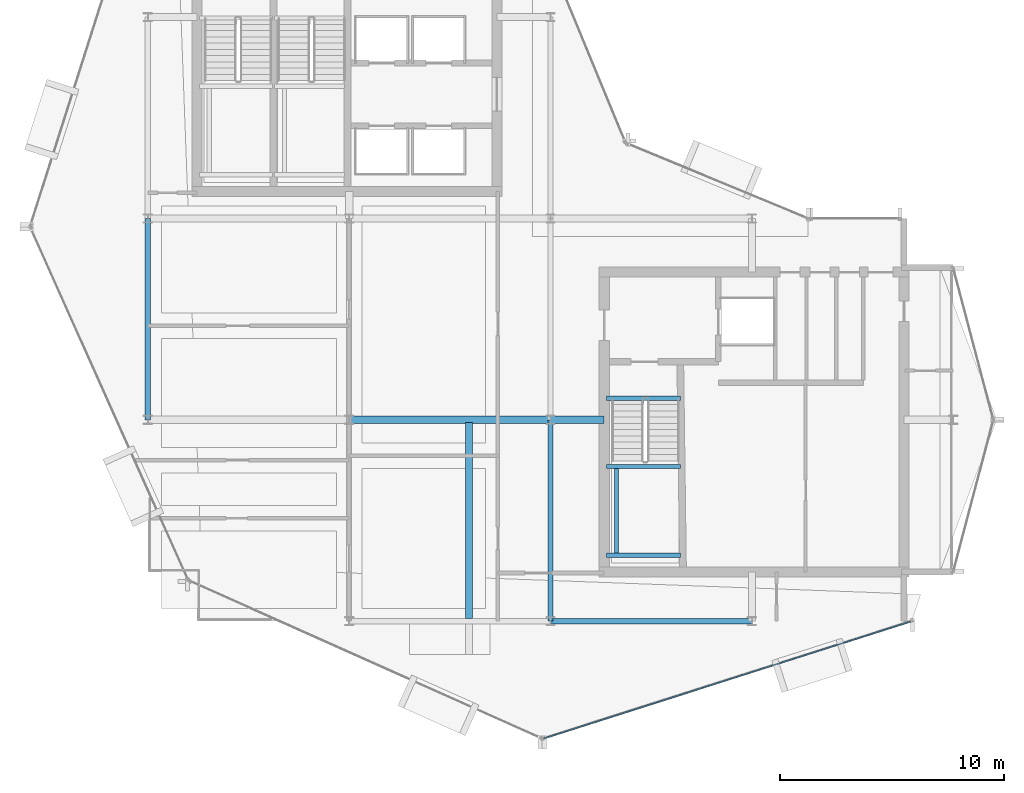
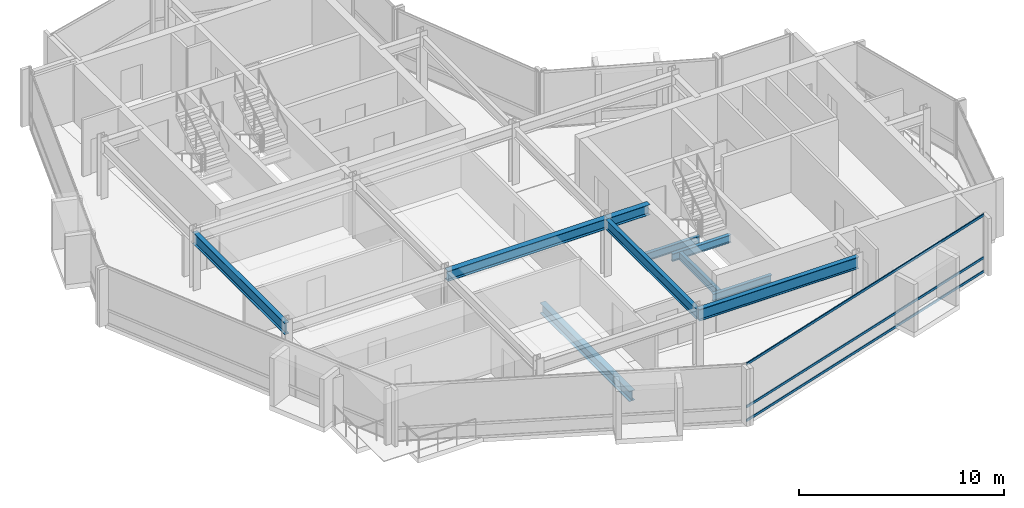
# One storey, part 5 of 19: 10 beams, 3 members, 1 element without a shape of its own.
"""IFC4 building model written with IfcOpenShell, lengths in metres."""

from ifc_helpers import new_model, si_unit, direction, frame, origin, origin_2d, place, context, subcontext, project, spatial, hollow_rectangle, i_section, extrude, material, layer, layer_set, material_profile, profile_set, type_object, element, aggregate, save


model = new_model("IFC4")

# Units and contexts
model_context = context("Model", 3, precision=1e-05, world=origin(), true_north=direction((0.0, 1.0)))
body_context = subcontext(model_context, "Body", "Model", "MODEL_VIEW")
ifc_project = project(units=[si_unit("LENGTHUNIT", "METRE"), si_unit("AREAUNIT", "SQUARE_METRE"), si_unit("VOLUMEUNIT", "CUBIC_METRE"), si_unit("PLANEANGLEUNIT", "RADIAN"), si_unit("MASSUNIT", "GRAM", prefix="KILO")], contexts=[model_context])

# Site, building, storey
site_placement = place(None, origin())
site = spatial("IfcSite", under=ifc_project, at=site_placement, CompositionType="ELEMENT")
building_placement = place(site_placement, origin())
building = spatial("IfcBuilding", under=site, at=building_placement, Name="Solvaryn Broadcast Tower", CompositionType="ELEMENT")
storey_placement = place(building_placement, frame((0.0, 0.0, 244.5)))
storey = spatial("IfcBuildingStorey", under=building, at=storey_placement, Name="L61", CompositionType="ELEMENT", Elevation=244.5)

# Beams
ifc_material_1 = material(Name="Steel ASTM A992 Grade 50", Category="steel")
ifc_material_profile_1 = material_profile(ifc_material_1, i_section(OverallWidth=0.323974609375, OverallDepth=0.611083984375, WebThickness=0.0126953125, FlangeThickness=0.01904296875, FilletRadius=0.014892578125, at=origin_2d()))
ifc_profile_set_1 = profile_set([ifc_material_profile_1], Name="Steel ASTM A992 Grade 50")
beam_type_1 = type_object("IfcBeamType", Name="BM-B1-W24X104", PredefinedType="BEAM", material=ifc_profile_set_1)
beam_1_placement = place(storey_placement, frame((23.35009765625, 17.875, -0.58544921875), z_axis=(0.0, -1.0, 0.0), x_axis=(1.0, 0.0, 0.0)))
element("IfcBeam", 1, at=beam_1_placement, inside=storey, type_object=beam_type_1, Name="L61 Bay-Box Back-Span Beam 1", PredefinedType="BEAM", context=body_context, shape_type="SweptSolid", body=[
    extrude(i_section(OverallWidth=0.323974609375, OverallDepth=0.611083984375, WebThickness=0.0126953125, FlangeThickness=0.01904296875, FilletRadius=0.014892578125, at=origin_2d()), origin(), (0.0, 0.0, 1.0), 8.75),
])
beam_2_placement = place(storey_placement, frame((18.0, 18.0, 3.114501953125), z_axis=(1.0, 0.0, 0.0), x_axis=(0.0, 1.0, 0.0)))
element("IfcBeam", 2, at=beam_2_placement, inside=storey, type_object=beam_type_1, Name="L61 Primary Beam X (18-27 @ Y=18)", PredefinedType="BEAM", context=body_context, shape_type="SweptSolid", body=[
    extrude(i_section(OverallWidth=0.323974609375, OverallDepth=0.611083984375, WebThickness=0.0126953125, FlangeThickness=0.01904296875, FilletRadius=0.014892578125, at=origin_2d()), origin(), (0.0, 0.0, 1.0), 9.0),
])
beam_3_placement = place(storey_placement, frame((27.0, 18.0, 3.114501953125), z_axis=(1.0, 0.0, 0.0), x_axis=(0.0, 1.0, 0.0)))
element("IfcBeam", 3, at=beam_3_placement, inside=storey, type_object=beam_type_1, Name="L61 Core Tie Beam CTE4", PredefinedType="BEAM", context=body_context, shape_type="SweptSolid", body=[
    extrude(i_section(OverallWidth=0.323974609375, OverallDepth=0.611083984375, WebThickness=0.0126953125, FlangeThickness=0.01904296875, FilletRadius=0.014892578125, at=origin_2d()), origin(), (0.0, 0.0, 1.0), 2.39990234375),
])
ifc_material_2 = material(Name="Steel ASTM A992 Grade 50", Category="steel")
ifc_material_profile_2 = material_profile(ifc_material_2, i_section(OverallWidth=0.22802734375, OverallDepth=0.60791015625, WebThickness=0.01123046875, FlangeThickness=0.017333984375, FilletRadius=0.014892578125, at=origin_2d()))
ifc_profile_set_2 = profile_set([ifc_material_profile_2], Name="Steel ASTM A992 Grade 50")
beam_type_2 = type_object("IfcBeamType", Name="BM-B2-W24X76", PredefinedType="BEAM", material=ifc_profile_set_2)
beam_4_placement = place(storey_placement, frame((27.0, 9.0, 3.115966796875), z_axis=(0.0, 1.0, 0.0), x_axis=(-1.0, 0.0, 0.0)))
element("IfcBeam", 4, at=beam_4_placement, inside=storey, type_object=beam_type_2, Name="L61 Primary Beam Y (9-18 @ X=27)", PredefinedType="BEAM", context=body_context, shape_type="SweptSolid", body=[
    extrude(i_section(OverallWidth=0.22802734375, OverallDepth=0.60791015625, WebThickness=0.01123046875, FlangeThickness=0.017333984375, FilletRadius=0.014892578125, at=origin_2d()), origin(), (0.0, 0.0, 1.0), 9.0),
])
ifc_material_3 = material(Name="Steel ASTM A992 Grade 50", Category="steel")
ifc_material_profile_3 = material_profile(ifc_material_3, i_section(OverallWidth=0.18994140625, OverallDepth=0.45703125, WebThickness=0.009033203125, FlangeThickness=0.014404296875, FilletRadius=0.011962890625, at=origin_2d()))
ifc_profile_set_3 = profile_set([ifc_material_profile_3], Name="Steel ASTM A992 Grade 50")
beam_type_3 = type_object("IfcBeamType", Name="BM-B4-W18X50", PredefinedType="BEAM", material=ifc_profile_set_3)
for number, where, z_axis, x_axis, name in (
    (5, (29.5, 18.9599609375, -0.508544921875), (1.0, 0.0, 0.0), (0.0, 1.0, 0.0), "L61 ST3 Stair Well Trimmer Beam"),
    (6, (29.5, 11.949951171875, 1.42138671875), (1.0, 0.0, 0.0), (0.0, 1.0, 0.0), "L61 ST3 Landing Support Beam 1A"),
    (7, (29.5, 15.909912109375, 1.42138671875), (1.0, 0.0, 0.0), (0.0, 1.0, 0.0), "L61 ST3 Landing Support Beam 1B"),
):
    element("IfcBeam", number, at=place(storey_placement, frame(where, z_axis=z_axis, x_axis=x_axis)), inside=storey, type_object=beam_type_3, Name=name, PredefinedType="BEAM", context=body_context, shape_type="SweptSolid", body=[
        extrude(i_section(OverallWidth=0.18994140625, OverallDepth=0.45703125, WebThickness=0.009033203125, FlangeThickness=0.014404296875, FilletRadius=0.011962890625, at=origin_2d()), origin(), (0.0, 0.0, 1.0), 3.320068359375),
    ])
beam_5_placement = place(storey_placement, frame((29.949951171875, 11.949951171875, 1.42138671875), z_axis=(0.0, 1.0, 0.0), x_axis=(-1.0, 0.0, 0.0)))
element("IfcBeam", 8, at=beam_5_placement, inside=storey, type_object=beam_type_3, Name="L61 ST3 Landing Cross Stringer 1C", PredefinedType="BEAM", context=body_context, shape_type="SweptSolid", body=[
    extrude(i_section(OverallWidth=0.18994140625, OverallDepth=0.45703125, WebThickness=0.009033203125, FlangeThickness=0.014404296875, FilletRadius=0.011962890625, at=origin_2d()), origin(), (0.0, 0.0, 1.0), 3.9599609375),
])
ifc_material_4 = material(Name="Steel ASTM A992 Grade 50", Category="steel")
ifc_material_profile_4 = material_profile(ifc_material_4, i_section(OverallWidth=0.256103515625, OverallDepth=0.693115234375, WebThickness=0.014404296875, FlangeThickness=0.023681640625, FilletRadius=0.01611328125, at=origin_2d()))
ifc_profile_set_4 = profile_set([ifc_material_profile_4], Name="Steel ASTM A992 Grade 50")
beam_type_4 = type_object("IfcBeamType", Name="BM-SP3-W27X114", PredefinedType="USERDEFINED", material=ifc_profile_set_4)
for number, where, z_axis, x_axis, name in (
    (9, (27.0, 9.0, 3.073486328125), (1.0, 0.0, 0.0), (0.0, 1.0, 0.0), "L61 Spandrel Beam X (27-36 @ Y=9)"),
    (10, (9.0, 18.0, 3.073486328125), (0.0, 1.0, 0.0), (-1.0, 0.0, 0.0), "L61 Spandrel Beam Y (18-27 @ X=9)"),
):
    element("IfcBeam", number, at=place(storey_placement, frame(where, z_axis=z_axis, x_axis=x_axis)), inside=storey, type_object=beam_type_4, Name=name, ObjectType="SPANDREL", PredefinedType="USERDEFINED", context=body_context, shape_type="SweptSolid", body=[
        extrude(i_section(OverallWidth=0.256103515625, OverallDepth=0.693115234375, WebThickness=0.014404296875, FlangeThickness=0.023681640625, FilletRadius=0.01611328125, at=origin_2d()), origin(), (0.0, 0.0, 1.0), 9.0),
    ])

# Curtain wall, members
ifc_material_5 = material(Name="Aluminium and Terracotta Unitised Curtain Wall", Category="masonry")
ifc_layer = layer(ifc_material_5, 0.199951171875)
ifc_layer_set = layer_set([ifc_layer], Name="CW-SYS2-LOWMID")
curtain_wall_type = type_object("IfcCurtainWallType", Name="CW-SYS2-LOWMID", PredefinedType="NOTDEFINED", material=ifc_layer_set)
curtain_wall_placement = place(storey_placement, origin())
curtain_wall = element("IfcCurtainWall", 11, at=curtain_wall_placement, inside=storey, type_object=curtain_wall_type, Name="L61 Curtain Wall DR4", PredefinedType="NOTDEFINED")
ifc_material_6 = material(Name="Anodised Aluminium 6063-T6", Category="aluminium")
ifc_material_profile_5 = material_profile(ifc_material_6, hollow_rectangle(XDim=0.06494140625, YDim=0.14990234375, WallThickness=0.00390625, InnerFilletRadius=0.00390625, OuterFilletRadius=0.008056640625, at=origin_2d()))
ifc_profile_set_5 = profile_set([ifc_material_profile_5], Name="Anodised Aluminium 6063-T6")
member_type = type_object("IfcMemberType", Name="CW-TRN-150", PredefinedType="USERDEFINED", material=ifc_profile_set_5)
member_1_placement = place(storey_placement, frame((26.693115234375, 3.756103515625, 0.030029296875), z_axis=(0.952794352661, 0.303616405252, 0.0), x_axis=(-0.303616405252, 0.952794352661, 0.0)))
member_1 = element("IfcMember", 12, at=member_1_placement, type_object=member_type, Name="CWS2 transom 1.1", ObjectType="TRANSOM", PredefinedType="USERDEFINED", context=body_context, shape_type="SweptSolid", body=[
    extrude(hollow_rectangle(XDim=0.06494140625, YDim=0.14990234375, WallThickness=0.00390625, InnerFilletRadius=0.00390625, OuterFilletRadius=0.008056640625, at=origin_2d()), origin(), (0.0, 0.0, 1.0), 17.211181640625),
])
member_2_placement = place(storey_placement, frame((26.693115234375, 3.756103515625, 0.85009765625), z_axis=(0.952794352661, 0.303616405252, 0.0), x_axis=(-0.303616405252, 0.952794352661, 0.0)))
member_2 = element("IfcMember", 13, at=member_2_placement, type_object=member_type, Name="CWS2 transom 1.2", ObjectType="TRANSOM", PredefinedType="USERDEFINED", context=body_context, shape_type="SweptSolid", body=[
    extrude(hollow_rectangle(XDim=0.06494140625, YDim=0.14990234375, WallThickness=0.00390625, InnerFilletRadius=0.00390625, OuterFilletRadius=0.008056640625, at=origin_2d()), origin(), (0.0, 0.0, 1.0), 17.211181640625),
])
member_3_placement = place(storey_placement, frame((26.693115234375, 3.756103515625, 3.389892578125), z_axis=(0.952794352661, 0.303616405252, 0.0), x_axis=(-0.303616405252, 0.952794352661, 0.0)))
member_3 = element("IfcMember", 14, at=member_3_placement, type_object=member_type, Name="CWS2 transom 1.3", ObjectType="TRANSOM", PredefinedType="USERDEFINED", context=body_context, shape_type="SweptSolid", body=[
    extrude(hollow_rectangle(XDim=0.06494140625, YDim=0.14990234375, WallThickness=0.00390625, InnerFilletRadius=0.00390625, OuterFilletRadius=0.008056640625, at=origin_2d()), origin(), (0.0, 0.0, 1.0), 17.211181640625),
])
aggregate(curtain_wall, [member_1, member_2, member_3])

save(model, "model.ifc")
